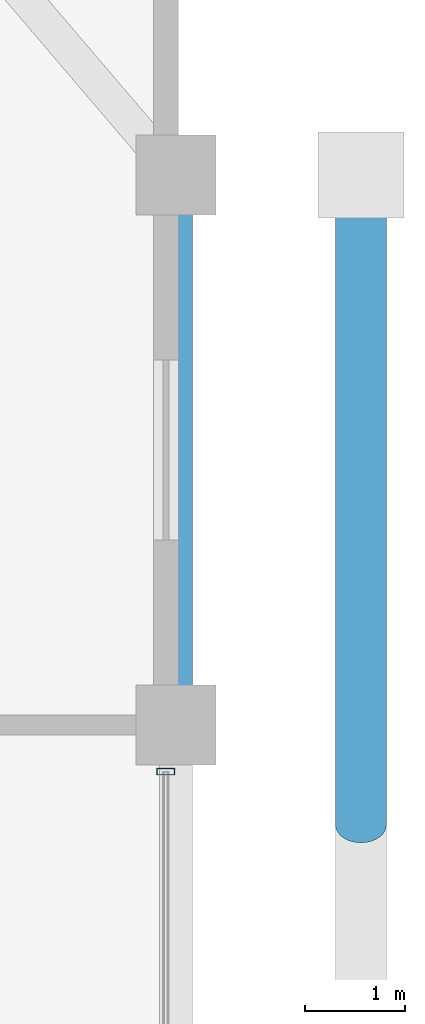
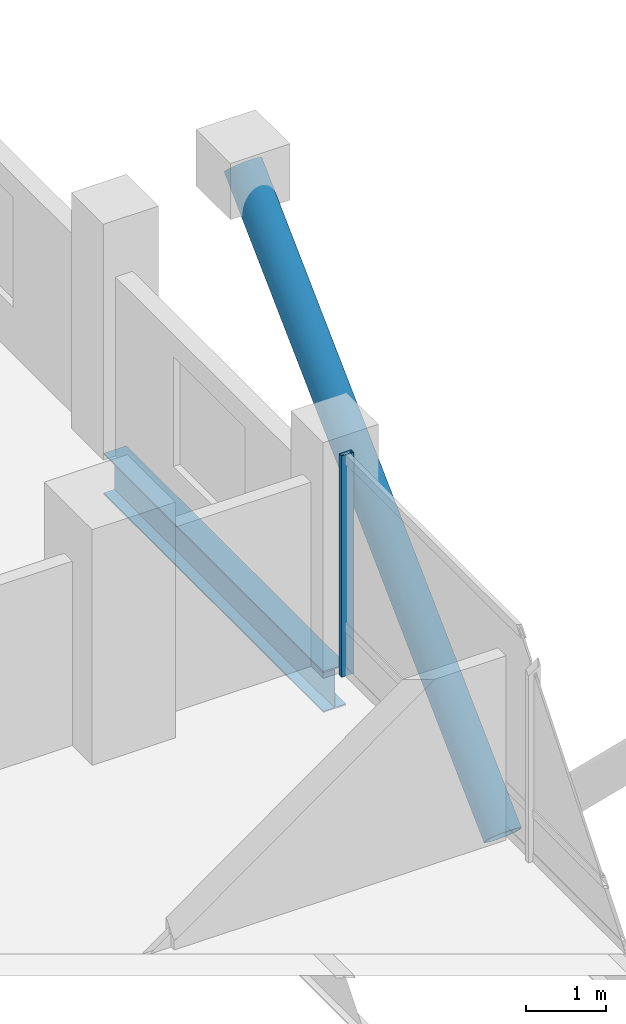
# One storey, part 15 of 22: 2 members, 1 beam, 1 element without a shape of its own.
"""IFC4 building model written with IfcOpenShell, lengths in metres."""

from ifc_helpers import new_model, si_unit, direction, frame, origin, origin_2d, place, context, subcontext, project, spatial, hollow_rectangle, hollow_circle, i_section, extrude, material, layer, layer_set, material_profile, profile_set, type_object, element, aggregate, save


model = new_model("IFC4")

# Units and contexts
model_context = context("Model", 3, precision=1e-05, world=origin(), true_north=direction((0.0, 1.0)))
body_context = subcontext(model_context, "Body", "Model", "MODEL_VIEW")
ifc_project = project(units=[si_unit("LENGTHUNIT", "METRE"), si_unit("AREAUNIT", "SQUARE_METRE"), si_unit("VOLUMEUNIT", "CUBIC_METRE"), si_unit("PLANEANGLEUNIT", "RADIAN"), si_unit("MASSUNIT", "GRAM", prefix="KILO")], contexts=[model_context])

# Site, building, storey
site_placement = place(None, origin())
site = spatial("IfcSite", under=ifc_project, at=site_placement, CompositionType="ELEMENT")
building_placement = place(site_placement, origin())
building = spatial("IfcBuilding", under=site, at=building_placement, Name="Barlavira Tower and Art Museum", CompositionType="ELEMENT")
storey_placement = place(building_placement, frame((0.0, 0.0, 129.60009765625)))
storey = spatial("IfcBuildingStorey", under=building, at=storey_placement, Name="L32", CompositionType="ELEMENT", Elevation=129.60009765625)

# Curtain wall, member
ifc_material_1 = material(Name="Low-iron coastal laminated glass", Category="glass")
ifc_layer = layer(ifc_material_1, 0.18994140625, Name="Low-iron coastal laminated glass")
ifc_layer_set = layer_set([ifc_layer], Name="Low-iron coastal laminated glass")
curtain_wall_type = type_object("IfcCurtainWallType", Name="Pale-Metal Unitised Curtain Wall Zone 2", PredefinedType="NOTDEFINED", material=ifc_layer_set)
curtain_wall_placement = place(storey_placement, origin())
curtain_wall = element("IfcCurtainWall", 1, at=curtain_wall_placement, inside=storey, type_object=curtain_wall_type, Name="L32 Curtain Wall CW2-L32-E-B3", PredefinedType="NOTDEFINED")
ifc_material_2 = material(Name="Pale anodised aluminium", Category="aluminium")
ifc_material_profile_1 = material_profile(ifc_material_2, hollow_rectangle(XDim=0.06494140625, YDim=0.179931640625, WallThickness=0.00390625, at=origin_2d()), Name="ALU-MULL 65x180x4")
ifc_profile_set_1 = profile_set([ifc_material_profile_1], Name="Pale anodised aluminium")
member_type_1 = type_object("IfcMemberType", Name="Curtain Wall Pale-Metal Mullion 65x180", PredefinedType="MULLION", material=ifc_profile_set_1)
member_1_placement = place(storey_placement, frame((20.14990234375, 7.034912109375, 0.0), z_axis=(0.0, 0.0, 1.0), x_axis=(0.0, 1.0, 0.0)))
member_1 = element("IfcMember", 2, at=member_1_placement, type_object=member_type_1, Name="CW2-L32-E-B3 Mullion 3", PredefinedType="MULLION", context=body_context, shape_type="SweptSolid", body=[
    extrude(hollow_rectangle(XDim=0.06494140625, YDim=0.179931640625, WallThickness=0.00390625, at=origin_2d()), origin(), (0.0, 0.0, 1.0), 3.3798828125),
])
aggregate(curtain_wall, [member_1])

# Member
ifc_material_3 = material(Name="Steel S355", Category="steel")
ifc_material_profile_2 = material_profile(ifc_material_3, hollow_circle(Radius=0.25390625, WallThickness=0.022216796875, at=origin_2d()), Name="CHS 508.0x22.2")
ifc_profile_set_2 = profile_set([ifc_material_profile_2], Name="Steel S355")
member_type_2 = type_object("IfcMemberType", Name="Pale-Metal Exoskeleton Diagrid Tube CHS 508x22 Steel S355", PredefinedType="BRACE", material=ifc_profile_set_2)
member_2_placement = place(storey_placement, frame((22.10009765625, 6.5, -2.820068359375), z_axis=(0.0, 0.718064979499, 0.695976066555), x_axis=(-1.0, 0.0, 0.0)))
element("IfcMember", 3, at=member_2_placement, inside=storey, type_object=member_type_2, Name="L32 Exoskeleton Diagrid Tube E", PredefinedType="BRACE", context=body_context, shape_type="SweptSolid", body=[
    extrude(hollow_circle(Radius=0.25390625, WallThickness=0.022216796875, at=origin_2d()), origin(), (0.0, 0.0, 1.0), 9.052001953125),
])

# Beam
ifc_material_profile_3 = material_profile(ifc_material_3, i_section(OverallWidth=0.327880859375, OverallDepth=0.62890625, WebThickness=0.013916015625, FlangeThickness=0.021484375, at=origin_2d()), Name="W610x174.0")
ifc_profile_set_3 = profile_set([ifc_material_profile_3], Name="Steel S355")
beam_type = type_object("IfcBeamType", Name="Perimeter Spandrel Edge Beam W610x174 Steel S355", PredefinedType="SPANDREL", material=ifc_profile_set_3)
beam_placement = place(storey_placement, frame((20.25, 7.5, -0.53466796875), z_axis=(0.0, 1.0, 0.0), x_axis=(-1.0, 0.0, 0.0)))
element("IfcBeam", 4, at=beam_placement, inside=storey, type_object=beam_type, Name="L32 Spandrel 7", PredefinedType="SPANDREL", context=body_context, shape_type="SweptSolid", body=[
    extrude(i_section(OverallWidth=0.327880859375, OverallDepth=0.62890625, WebThickness=0.013916015625, FlangeThickness=0.021484375, at=origin_2d()), origin(), (0.0, 0.0, 1.0), 5.5),
])

save(model, "model.ifc")
